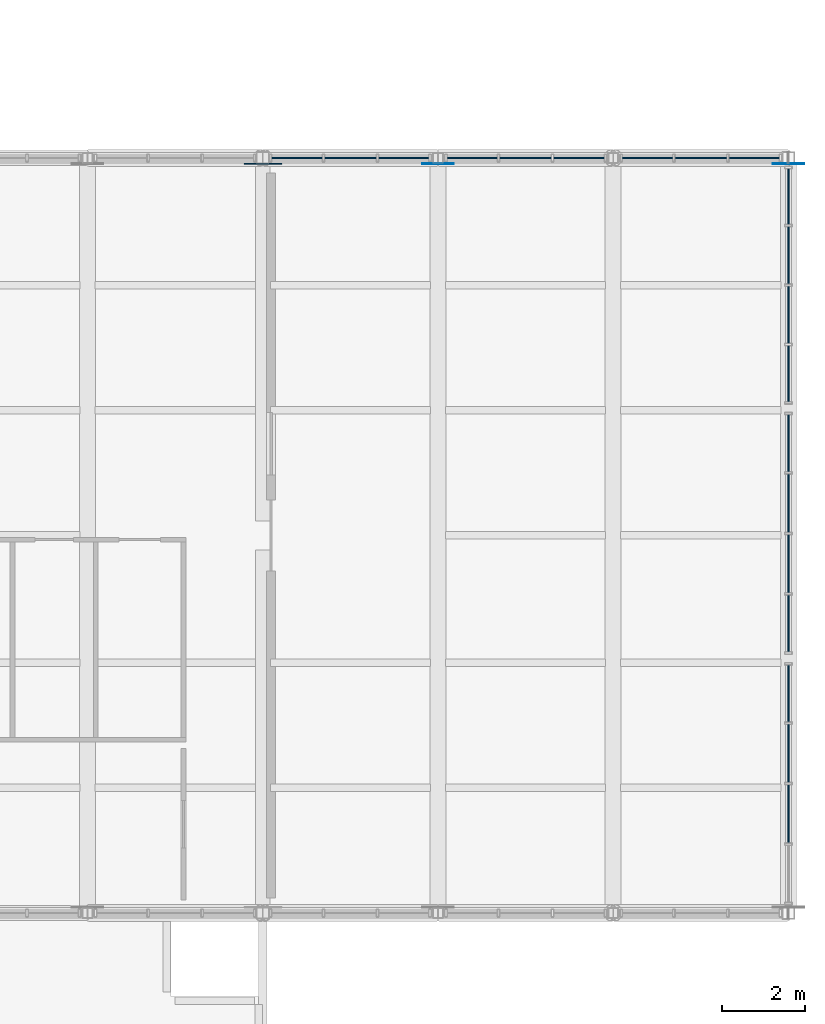
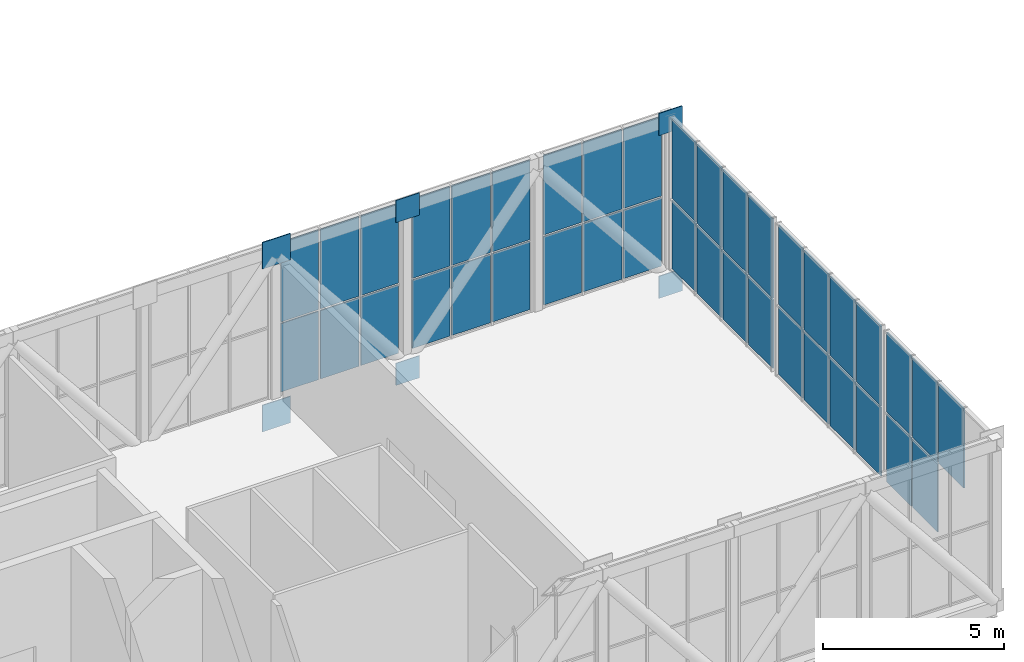
# One storey, part 51 of 58: 45 plates, 6 elements without a shape of their own.
"""IFC4 building model written with IfcOpenShell, lengths in metres."""

from ifc_helpers import new_model, si_unit, direction, frame, origin, origin_2d, place, context, subcontext, project, spatial, rectangle, extrude, material, layer, layer_set, type_object, element, aggregate, save


model = new_model("IFC4")

# Units and contexts
model_context = context("Model", 3, precision=1e-05, world=origin(), true_north=direction((0.0, 1.0)))
body_context = subcontext(model_context, "Body", "Model", "MODEL_VIEW")
ifc_project = project(units=[si_unit("LENGTHUNIT", "METRE"), si_unit("AREAUNIT", "SQUARE_METRE"), si_unit("VOLUMEUNIT", "CUBIC_METRE"), si_unit("PLANEANGLEUNIT", "RADIAN"), si_unit("MASSUNIT", "GRAM", prefix="KILO")], contexts=[model_context])

# Site, building, storey
site_placement = place(None, origin())
site = spatial("IfcSite", under=ifc_project, at=site_placement, CompositionType="ELEMENT")
building_placement = place(site_placement, origin())
building = spatial("IfcBuilding", under=site, at=building_placement, Name="Khurvash Pelagic Aquarium", CompositionType="ELEMENT")
storey_placement = place(building_placement, frame((0.0, 0.0, 24.60009765625)))
storey = spatial("IfcBuildingStorey", under=building, at=storey_placement, Name="L05", CompositionType="ELEMENT", Elevation=24.60009765625)

# Curtain wall, plates
ifc_material_1 = material(Name="Anodised aluminium and low-E laminated glass", Category="aluminium")
curtain_wall_type_1 = type_object("IfcCurtainWallType", Name="CW-01", PredefinedType="USERDEFINED", material=ifc_material_1)
curtain_wall_1_placement = place(storey_placement, origin())
curtain_wall_1 = element("IfcCurtainWall", 1, at=curtain_wall_1_placement, inside=storey, type_object=curtain_wall_type_1, Name="L05 North Sky-Bar Unitised Curtain Wall CW-01 P24", ObjectType="UNITISED CURTAIN WALL", PredefinedType="USERDEFINED")
ifc_material_2 = material(Name="Low-E laminated double glazing", Category="glass")
ifc_layer_1 = layer(ifc_material_2, 0.035888671875)
ifc_layer_set_1 = layer_set([ifc_layer_1], Name="Low-E laminated double glazing")
plate_type_1 = type_object("IfcPlateType", Name="CG-01", PredefinedType="CURTAIN_PANEL", material=ifc_layer_set_1)
plate_1_placement = place(storey_placement, frame((110.021728515625, 29.75, 0.059814453125), z_axis=(0.0, 0.0, 1.0), x_axis=(1.0, 0.0, 0.0)))
plate_1 = element("IfcPlate", 2, at=plate_1_placement, type_object=plate_type_1, Name="CW-01 panel 1.1", PredefinedType="CURTAIN_PANEL", context=body_context, shape_type="SweptSolid", body=[
    extrude(rectangle(XDim=1.203369140625, YDim=0.035888671875, at=origin_2d()), origin(), (0.0, 0.0, 1.0), 2.31005859375),
])
plate_2_placement = place(storey_placement, frame((110.021728515625, 29.75, 2.429931640625), z_axis=(0.0, 0.0, 1.0), x_axis=(1.0, 0.0, 0.0)))
plate_2 = element("IfcPlate", 3, at=plate_2_placement, type_object=plate_type_1, Name="CW-01 panel 1.2", PredefinedType="CURTAIN_PANEL", context=body_context, shape_type="SweptSolid", body=[
    extrude(rectangle(XDim=1.203369140625, YDim=0.035888671875, at=origin_2d()), origin(), (0.0, 0.0, 1.0), 2.68994140625),
])
plate_3_placement = place(storey_placement, frame((111.300048828125, 29.75, 0.059814453125), z_axis=(0.0, 0.0, 1.0), x_axis=(1.0, 0.0, 0.0)))
plate_3 = element("IfcPlate", 4, at=plate_3_placement, type_object=plate_type_1, Name="CW-01 panel 2.1", PredefinedType="CURTAIN_PANEL", context=body_context, shape_type="SweptSolid", body=[
    extrude(rectangle(XDim=1.2333984375, YDim=0.035888671875, at=origin_2d()), origin(), (0.0, 0.0, 1.0), 2.31005859375),
])
plate_4_placement = place(storey_placement, frame((111.300048828125, 29.75, 2.429931640625), z_axis=(0.0, 0.0, 1.0), x_axis=(1.0, 0.0, 0.0)))
plate_4 = element("IfcPlate", 5, at=plate_4_placement, type_object=plate_type_1, Name="CW-01 panel 2.2", PredefinedType="CURTAIN_PANEL", context=body_context, shape_type="SweptSolid", body=[
    extrude(rectangle(XDim=1.2333984375, YDim=0.035888671875, at=origin_2d()), origin(), (0.0, 0.0, 1.0), 2.68994140625),
])
plate_5_placement = place(storey_placement, frame((112.578369140625, 29.75, 0.059814453125), z_axis=(0.0, 0.0, 1.0), x_axis=(1.0, 0.0, 0.0)))
plate_5 = element("IfcPlate", 6, at=plate_5_placement, type_object=plate_type_1, Name="CW-01 panel 3.1", PredefinedType="CURTAIN_PANEL", context=body_context, shape_type="SweptSolid", body=[
    extrude(rectangle(XDim=1.203369140625, YDim=0.035888671875, at=origin_2d()), origin(), (0.0, 0.0, 1.0), 2.31005859375),
])
plate_6_placement = place(storey_placement, frame((112.578369140625, 29.75, 2.429931640625), z_axis=(0.0, 0.0, 1.0), x_axis=(1.0, 0.0, 0.0)))
plate_6 = element("IfcPlate", 7, at=plate_6_placement, type_object=plate_type_1, Name="CW-01 panel 3.2", PredefinedType="CURTAIN_PANEL", context=body_context, shape_type="SweptSolid", body=[
    extrude(rectangle(XDim=1.203369140625, YDim=0.035888671875, at=origin_2d()), origin(), (0.0, 0.0, 1.0), 2.68994140625),
])
aggregate(curtain_wall_1, [plate_1, plate_2, plate_3, plate_4, plate_5, plate_6])

curtain_wall_2_placement = place(storey_placement, origin())
curtain_wall_2 = element("IfcCurtainWall", 8, at=curtain_wall_2_placement, inside=storey, type_object=curtain_wall_type_1, Name="L05 North Sky-Bar Unitised Curtain Wall CW-01 P25", ObjectType="UNITISED CURTAIN WALL", PredefinedType="USERDEFINED")
plate_7_placement = place(storey_placement, frame((114.2216796875, 29.75, 0.059814453125), z_axis=(0.0, 0.0, 1.0), x_axis=(1.0, 0.0, 0.0)))
plate_7 = element("IfcPlate", 9, at=plate_7_placement, type_object=plate_type_1, Name="CW-01 panel 1.1", PredefinedType="CURTAIN_PANEL", context=body_context, shape_type="SweptSolid", body=[
    extrude(rectangle(XDim=1.203369140625, YDim=0.035888671875, at=origin_2d()), origin(), (0.0, 0.0, 1.0), 2.31005859375),
])
plate_8_placement = place(storey_placement, frame((114.2216796875, 29.75, 2.429931640625), z_axis=(0.0, 0.0, 1.0), x_axis=(1.0, 0.0, 0.0)))
plate_8 = element("IfcPlate", 10, at=plate_8_placement, type_object=plate_type_1, Name="CW-01 panel 1.2", PredefinedType="CURTAIN_PANEL", context=body_context, shape_type="SweptSolid", body=[
    extrude(rectangle(XDim=1.203369140625, YDim=0.035888671875, at=origin_2d()), origin(), (0.0, 0.0, 1.0), 2.68994140625),
])
plate_9_placement = place(storey_placement, frame((115.5, 29.75, 0.059814453125), z_axis=(0.0, 0.0, 1.0), x_axis=(1.0, 0.0, 0.0)))
plate_9 = element("IfcPlate", 11, at=plate_9_placement, type_object=plate_type_1, Name="CW-01 panel 2.1", PredefinedType="CURTAIN_PANEL", context=body_context, shape_type="SweptSolid", body=[
    extrude(rectangle(XDim=1.2333984375, YDim=0.035888671875, at=origin_2d()), origin(), (0.0, 0.0, 1.0), 2.31005859375),
])
plate_10_placement = place(storey_placement, frame((115.5, 29.75, 2.429931640625), z_axis=(0.0, 0.0, 1.0), x_axis=(1.0, 0.0, 0.0)))
plate_10 = element("IfcPlate", 12, at=plate_10_placement, type_object=plate_type_1, Name="CW-01 panel 2.2", PredefinedType="CURTAIN_PANEL", context=body_context, shape_type="SweptSolid", body=[
    extrude(rectangle(XDim=1.2333984375, YDim=0.035888671875, at=origin_2d()), origin(), (0.0, 0.0, 1.0), 2.68994140625),
])
plate_11_placement = place(storey_placement, frame((116.7783203125, 29.75, 0.059814453125), z_axis=(0.0, 0.0, 1.0), x_axis=(1.0, 0.0, 0.0)))
plate_11 = element("IfcPlate", 13, at=plate_11_placement, type_object=plate_type_1, Name="CW-01 panel 3.1", PredefinedType="CURTAIN_PANEL", context=body_context, shape_type="SweptSolid", body=[
    extrude(rectangle(XDim=1.203369140625, YDim=0.035888671875, at=origin_2d()), origin(), (0.0, 0.0, 1.0), 2.31005859375),
])
plate_12_placement = place(storey_placement, frame((116.7783203125, 29.75, 2.429931640625), z_axis=(0.0, 0.0, 1.0), x_axis=(1.0, 0.0, 0.0)))
plate_12 = element("IfcPlate", 14, at=plate_12_placement, type_object=plate_type_1, Name="CW-01 panel 3.2", PredefinedType="CURTAIN_PANEL", context=body_context, shape_type="SweptSolid", body=[
    extrude(rectangle(XDim=1.203369140625, YDim=0.035888671875, at=origin_2d()), origin(), (0.0, 0.0, 1.0), 2.68994140625),
])
aggregate(curtain_wall_2, [plate_7, plate_8, plate_9, plate_10, plate_11, plate_12])

curtain_wall_3_placement = place(storey_placement, origin())
curtain_wall_3 = element("IfcCurtainWall", 15, at=curtain_wall_3_placement, inside=storey, type_object=curtain_wall_type_1, Name="L05 North Sky-Bar Unitised Curtain Wall CW-01 P26", ObjectType="UNITISED CURTAIN WALL", PredefinedType="USERDEFINED")
plate_13_placement = place(storey_placement, frame((118.421630859375, 29.75, 0.059814453125), z_axis=(0.0, 0.0, 1.0), x_axis=(1.0, 0.0, 0.0)))
plate_13 = element("IfcPlate", 16, at=plate_13_placement, type_object=plate_type_1, Name="CW-01 panel 1.1", PredefinedType="CURTAIN_PANEL", context=body_context, shape_type="SweptSolid", body=[
    extrude(rectangle(XDim=1.203369140625, YDim=0.035888671875, at=origin_2d()), origin(), (0.0, 0.0, 1.0), 2.31005859375),
])
plate_14_placement = place(storey_placement, frame((118.421630859375, 29.75, 2.429931640625), z_axis=(0.0, 0.0, 1.0), x_axis=(1.0, 0.0, 0.0)))
plate_14 = element("IfcPlate", 17, at=plate_14_placement, type_object=plate_type_1, Name="CW-01 panel 1.2", PredefinedType="CURTAIN_PANEL", context=body_context, shape_type="SweptSolid", body=[
    extrude(rectangle(XDim=1.203369140625, YDim=0.035888671875, at=origin_2d()), origin(), (0.0, 0.0, 1.0), 2.68994140625),
])
plate_15_placement = place(storey_placement, frame((119.699951171875, 29.75, 0.059814453125), z_axis=(0.0, 0.0, 1.0), x_axis=(1.0, 0.0, 0.0)))
plate_15 = element("IfcPlate", 18, at=plate_15_placement, type_object=plate_type_1, Name="CW-01 panel 2.1", PredefinedType="CURTAIN_PANEL", context=body_context, shape_type="SweptSolid", body=[
    extrude(rectangle(XDim=1.2333984375, YDim=0.035888671875, at=origin_2d()), origin(), (0.0, 0.0, 1.0), 2.31005859375),
])
plate_16_placement = place(storey_placement, frame((119.699951171875, 29.75, 2.429931640625), z_axis=(0.0, 0.0, 1.0), x_axis=(1.0, 0.0, 0.0)))
plate_16 = element("IfcPlate", 19, at=plate_16_placement, type_object=plate_type_1, Name="CW-01 panel 2.2", PredefinedType="CURTAIN_PANEL", context=body_context, shape_type="SweptSolid", body=[
    extrude(rectangle(XDim=1.2333984375, YDim=0.035888671875, at=origin_2d()), origin(), (0.0, 0.0, 1.0), 2.68994140625),
])
plate_17_placement = place(storey_placement, frame((120.978271484375, 29.75, 0.059814453125), z_axis=(0.0, 0.0, 1.0), x_axis=(1.0, 0.0, 0.0)))
plate_17 = element("IfcPlate", 20, at=plate_17_placement, type_object=plate_type_1, Name="CW-01 panel 3.1", PredefinedType="CURTAIN_PANEL", context=body_context, shape_type="SweptSolid", body=[
    extrude(rectangle(XDim=1.203369140625, YDim=0.035888671875, at=origin_2d()), origin(), (0.0, 0.0, 1.0), 2.31005859375),
])
plate_18_placement = place(storey_placement, frame((120.978271484375, 29.75, 2.429931640625), z_axis=(0.0, 0.0, 1.0), x_axis=(1.0, 0.0, 0.0)))
plate_18 = element("IfcPlate", 21, at=plate_18_placement, type_object=plate_type_1, Name="CW-01 panel 3.2", PredefinedType="CURTAIN_PANEL", context=body_context, shape_type="SweptSolid", body=[
    extrude(rectangle(XDim=1.203369140625, YDim=0.035888671875, at=origin_2d()), origin(), (0.0, 0.0, 1.0), 2.68994140625),
])
aggregate(curtain_wall_3, [plate_13, plate_14, plate_15, plate_16, plate_17, plate_18])

curtain_wall_type_2 = type_object("IfcCurtainWallType", Name="CW-04", PredefinedType="USERDEFINED", material=ifc_material_1)
curtain_wall_4_placement = place(storey_placement, origin())
curtain_wall_4 = element("IfcCurtainWall", 22, at=curtain_wall_4_placement, inside=storey, type_object=curtain_wall_type_2, Name="L05 East Cantilever Overlook Curtain Wall CW-04", ObjectType="UNITISED CURTAIN WALL", PredefinedType="USERDEFINED")
ifc_layer_2 = layer(ifc_material_2, 0.0400390625)
ifc_layer_set_2 = layer_set([ifc_layer_2], Name="Low-E laminated double glazing")
plate_type_2 = type_object("IfcPlateType", Name="CG-04", PredefinedType="CURTAIN_PANEL", material=ifc_layer_set_2)
plate_19_placement = place(storey_placement, frame((121.800048828125, 14.02490234375, 2.429931640625), z_axis=(0.0, 0.0, 1.0), x_axis=(0.0, 1.0, 0.0)))
plate_19 = element("IfcPlate", 23, at=plate_19_placement, type_object=plate_type_2, Name="CW-04 panel 2.2", PredefinedType="CURTAIN_PANEL", context=body_context, shape_type="SweptSolid", body=[
    extrude(rectangle(XDim=1.389892578125, YDim=0.0400390625, at=origin_2d()), origin(), (0.0, 0.0, 1.0), 2.68994140625),
])
plate_20_placement = place(storey_placement, frame((121.800048828125, 15.47509765625, 0.059814453125), z_axis=(0.0, 0.0, 1.0), x_axis=(0.0, 1.0, 0.0)))
plate_20 = element("IfcPlate", 24, at=plate_20_placement, type_object=plate_type_2, Name="CW-04 panel 3.1", PredefinedType="CURTAIN_PANEL", context=body_context, shape_type="SweptSolid", body=[
    extrude(rectangle(XDim=1.389892578125, YDim=0.0400390625, at=origin_2d()), origin(), (0.0, 0.0, 1.0), 2.31005859375),
])
plate_21_placement = place(storey_placement, frame((121.800048828125, 15.47509765625, 2.429931640625), z_axis=(0.0, 0.0, 1.0), x_axis=(0.0, 1.0, 0.0)))
plate_21 = element("IfcPlate", 25, at=plate_21_placement, type_object=plate_type_2, Name="CW-04 panel 3.2", PredefinedType="CURTAIN_PANEL", context=body_context, shape_type="SweptSolid", body=[
    extrude(rectangle(XDim=1.389892578125, YDim=0.0400390625, at=origin_2d()), origin(), (0.0, 0.0, 1.0), 2.68994140625),
])
plate_22_placement = place(storey_placement, frame((121.800048828125, 16.909912109375, 0.059814453125), z_axis=(0.0, 0.0, 1.0), x_axis=(0.0, 1.0, 0.0)))
plate_22 = element("IfcPlate", 26, at=plate_22_placement, type_object=plate_type_2, Name="CW-04 panel 4.1", PredefinedType="CURTAIN_PANEL", context=body_context, shape_type="SweptSolid", body=[
    extrude(rectangle(XDim=1.360107421875, YDim=0.0400390625, at=origin_2d()), origin(), (0.0, 0.0, 1.0), 2.31005859375),
])
plate_23_placement = place(storey_placement, frame((121.800048828125, 16.909912109375, 2.429931640625), z_axis=(0.0, 0.0, 1.0), x_axis=(0.0, 1.0, 0.0)))
plate_23 = element("IfcPlate", 27, at=plate_23_placement, type_object=plate_type_2, Name="CW-04 panel 4.2", PredefinedType="CURTAIN_PANEL", context=body_context, shape_type="SweptSolid", body=[
    extrude(rectangle(XDim=1.360107421875, YDim=0.0400390625, at=origin_2d()), origin(), (0.0, 0.0, 1.0), 2.68994140625),
])
aggregate(curtain_wall_4, [plate_19, plate_20, plate_21, plate_22, plate_23])

curtain_wall_5_placement = place(storey_placement, origin())
curtain_wall_5 = element("IfcCurtainWall", 28, at=curtain_wall_5_placement, inside=storey, type_object=curtain_wall_type_2, Name="L05 East Cantilever Overlook Curtain Wall CW-04", ObjectType="UNITISED CURTAIN WALL", PredefinedType="USERDEFINED")
plate_24_placement = place(storey_placement, frame((121.800048828125, 18.590087890625, 0.059814453125), z_axis=(0.0, 0.0, 1.0), x_axis=(0.0, 1.0, 0.0)))
plate_24 = element("IfcPlate", 29, at=plate_24_placement, type_object=plate_type_2, Name="CW-04 panel 1.1", PredefinedType="CURTAIN_PANEL", context=body_context, shape_type="SweptSolid", body=[
    extrude(rectangle(XDim=1.360107421875, YDim=0.0400390625, at=origin_2d()), origin(), (0.0, 0.0, 1.0), 2.31005859375),
])
plate_25_placement = place(storey_placement, frame((121.800048828125, 18.590087890625, 2.429931640625), z_axis=(0.0, 0.0, 1.0), x_axis=(0.0, 1.0, 0.0)))
plate_25 = element("IfcPlate", 30, at=plate_25_placement, type_object=plate_type_2, Name="CW-04 panel 1.2", PredefinedType="CURTAIN_PANEL", context=body_context, shape_type="SweptSolid", body=[
    extrude(rectangle(XDim=1.360107421875, YDim=0.0400390625, at=origin_2d()), origin(), (0.0, 0.0, 1.0), 2.68994140625),
])
plate_26_placement = place(storey_placement, frame((121.800048828125, 20.02490234375, 0.059814453125), z_axis=(0.0, 0.0, 1.0), x_axis=(0.0, 1.0, 0.0)))
plate_26 = element("IfcPlate", 31, at=plate_26_placement, type_object=plate_type_2, Name="CW-04 panel 2.1", PredefinedType="CURTAIN_PANEL", context=body_context, shape_type="SweptSolid", body=[
    extrude(rectangle(XDim=1.389892578125, YDim=0.0400390625, at=origin_2d()), origin(), (0.0, 0.0, 1.0), 2.31005859375),
])
plate_27_placement = place(storey_placement, frame((121.800048828125, 20.02490234375, 2.429931640625), z_axis=(0.0, 0.0, 1.0), x_axis=(0.0, 1.0, 0.0)))
plate_27 = element("IfcPlate", 32, at=plate_27_placement, type_object=plate_type_2, Name="CW-04 panel 2.2", PredefinedType="CURTAIN_PANEL", context=body_context, shape_type="SweptSolid", body=[
    extrude(rectangle(XDim=1.389892578125, YDim=0.0400390625, at=origin_2d()), origin(), (0.0, 0.0, 1.0), 2.68994140625),
])
plate_28_placement = place(storey_placement, frame((121.800048828125, 21.47509765625, 0.059814453125), z_axis=(0.0, 0.0, 1.0), x_axis=(0.0, 1.0, 0.0)))
plate_28 = element("IfcPlate", 33, at=plate_28_placement, type_object=plate_type_2, Name="CW-04 panel 3.1", PredefinedType="CURTAIN_PANEL", context=body_context, shape_type="SweptSolid", body=[
    extrude(rectangle(XDim=1.389892578125, YDim=0.0400390625, at=origin_2d()), origin(), (0.0, 0.0, 1.0), 2.31005859375),
])
plate_29_placement = place(storey_placement, frame((121.800048828125, 21.47509765625, 2.429931640625), z_axis=(0.0, 0.0, 1.0), x_axis=(0.0, 1.0, 0.0)))
plate_29 = element("IfcPlate", 34, at=plate_29_placement, type_object=plate_type_2, Name="CW-04 panel 3.2", PredefinedType="CURTAIN_PANEL", context=body_context, shape_type="SweptSolid", body=[
    extrude(rectangle(XDim=1.389892578125, YDim=0.0400390625, at=origin_2d()), origin(), (0.0, 0.0, 1.0), 2.68994140625),
])
plate_30_placement = place(storey_placement, frame((121.800048828125, 22.909912109375, 0.059814453125), z_axis=(0.0, 0.0, 1.0), x_axis=(0.0, 1.0, 0.0)))
plate_30 = element("IfcPlate", 35, at=plate_30_placement, type_object=plate_type_2, Name="CW-04 panel 4.1", PredefinedType="CURTAIN_PANEL", context=body_context, shape_type="SweptSolid", body=[
    extrude(rectangle(XDim=1.360107421875, YDim=0.0400390625, at=origin_2d()), origin(), (0.0, 0.0, 1.0), 2.31005859375),
])
plate_31_placement = place(storey_placement, frame((121.800048828125, 22.909912109375, 2.429931640625), z_axis=(0.0, 0.0, 1.0), x_axis=(0.0, 1.0, 0.0)))
plate_31 = element("IfcPlate", 36, at=plate_31_placement, type_object=plate_type_2, Name="CW-04 panel 4.2", PredefinedType="CURTAIN_PANEL", context=body_context, shape_type="SweptSolid", body=[
    extrude(rectangle(XDim=1.360107421875, YDim=0.0400390625, at=origin_2d()), origin(), (0.0, 0.0, 1.0), 2.68994140625),
])
aggregate(curtain_wall_5, [plate_24, plate_25, plate_26, plate_27, plate_28, plate_29, plate_30, plate_31])

curtain_wall_6_placement = place(storey_placement, origin())
curtain_wall_6 = element("IfcCurtainWall", 37, at=curtain_wall_6_placement, inside=storey, type_object=curtain_wall_type_2, Name="L05 East Cantilever Overlook Curtain Wall CW-04", ObjectType="UNITISED CURTAIN WALL", PredefinedType="USERDEFINED")
plate_32_placement = place(storey_placement, frame((121.800048828125, 24.577392578125, 0.059814453125), z_axis=(0.0, 0.0, 1.0), x_axis=(0.0, 1.0, 0.0)))
plate_32 = element("IfcPlate", 38, at=plate_32_placement, type_object=plate_type_2, Name="CW-04 panel 1.1", PredefinedType="CURTAIN_PANEL", context=body_context, shape_type="SweptSolid", body=[
    extrude(rectangle(XDim=1.3349609375, YDim=0.0400390625, at=origin_2d()), origin(), (0.0, 0.0, 1.0), 2.31005859375),
])
plate_33_placement = place(storey_placement, frame((121.800048828125, 24.577392578125, 2.429931640625), z_axis=(0.0, 0.0, 1.0), x_axis=(0.0, 1.0, 0.0)))
plate_33 = element("IfcPlate", 39, at=plate_33_placement, type_object=plate_type_2, Name="CW-04 panel 1.2", PredefinedType="CURTAIN_PANEL", context=body_context, shape_type="SweptSolid", body=[
    extrude(rectangle(XDim=1.3349609375, YDim=0.0400390625, at=origin_2d()), origin(), (0.0, 0.0, 1.0), 2.68994140625),
])
plate_34_placement = place(storey_placement, frame((121.800048828125, 25.987548828125, 0.059814453125), z_axis=(0.0, 0.0, 1.0), x_axis=(0.0, 1.0, 0.0)))
plate_34 = element("IfcPlate", 40, at=plate_34_placement, type_object=plate_type_2, Name="CW-04 panel 2.1", PredefinedType="CURTAIN_PANEL", context=body_context, shape_type="SweptSolid", body=[
    extrude(rectangle(XDim=1.364990234375, YDim=0.0400390625, at=origin_2d()), origin(), (0.0, 0.0, 1.0), 2.31005859375),
])
plate_35_placement = place(storey_placement, frame((121.800048828125, 25.987548828125, 2.429931640625), z_axis=(0.0, 0.0, 1.0), x_axis=(0.0, 1.0, 0.0)))
plate_35 = element("IfcPlate", 41, at=plate_35_placement, type_object=plate_type_2, Name="CW-04 panel 2.2", PredefinedType="CURTAIN_PANEL", context=body_context, shape_type="SweptSolid", body=[
    extrude(rectangle(XDim=1.364990234375, YDim=0.0400390625, at=origin_2d()), origin(), (0.0, 0.0, 1.0), 2.68994140625),
])
plate_36_placement = place(storey_placement, frame((121.800048828125, 27.41259765625, 0.059814453125), z_axis=(0.0, 0.0, 1.0), x_axis=(0.0, 1.0, 0.0)))
plate_36 = element("IfcPlate", 42, at=plate_36_placement, type_object=plate_type_2, Name="CW-04 panel 3.1", PredefinedType="CURTAIN_PANEL", context=body_context, shape_type="SweptSolid", body=[
    extrude(rectangle(XDim=1.364990234375, YDim=0.0400390625, at=origin_2d()), origin(), (0.0, 0.0, 1.0), 2.31005859375),
])
plate_37_placement = place(storey_placement, frame((121.800048828125, 27.41259765625, 2.429931640625), z_axis=(0.0, 0.0, 1.0), x_axis=(0.0, 1.0, 0.0)))
plate_37 = element("IfcPlate", 43, at=plate_37_placement, type_object=plate_type_2, Name="CW-04 panel 3.2", PredefinedType="CURTAIN_PANEL", context=body_context, shape_type="SweptSolid", body=[
    extrude(rectangle(XDim=1.364990234375, YDim=0.0400390625, at=origin_2d()), origin(), (0.0, 0.0, 1.0), 2.68994140625),
])
plate_38_placement = place(storey_placement, frame((121.800048828125, 28.822509765625, 0.059814453125), z_axis=(0.0, 0.0, 1.0), x_axis=(0.0, 1.0, 0.0)))
plate_38 = element("IfcPlate", 44, at=plate_38_placement, type_object=plate_type_2, Name="CW-04 panel 4.1", PredefinedType="CURTAIN_PANEL", context=body_context, shape_type="SweptSolid", body=[
    extrude(rectangle(XDim=1.3349609375, YDim=0.0400390625, at=origin_2d()), origin(), (0.0, 0.0, 1.0), 2.31005859375),
])
plate_39_placement = place(storey_placement, frame((121.800048828125, 28.822509765625, 2.429931640625), z_axis=(0.0, 0.0, 1.0), x_axis=(0.0, 1.0, 0.0)))
plate_39 = element("IfcPlate", 45, at=plate_39_placement, type_object=plate_type_2, Name="CW-04 panel 4.2", PredefinedType="CURTAIN_PANEL", context=body_context, shape_type="SweptSolid", body=[
    extrude(rectangle(XDim=1.3349609375, YDim=0.0400390625, at=origin_2d()), origin(), (0.0, 0.0, 1.0), 2.68994140625),
])
aggregate(curtain_wall_6, [plate_32, plate_33, plate_34, plate_35, plate_36, plate_37, plate_38, plate_39])

# Plates
ifc_material_3 = material(Name="Steel S355J2", Category="steel")
ifc_layer_3 = layer(ifc_material_3, 0.028076171875)
ifc_layer_set_3 = layer_set([ifc_layer_3], Name="Steel S355J2")
plate_type_3 = type_object("IfcPlateType", Name="ND-01", PredefinedType="USERDEFINED", material=ifc_layer_set_3)
for number, where, z_axis, x_axis, name in (
    (46, (109.199951171875, 29.610107421875, -0.97509765625), (0.0, 0.0, 1.0), (1.0, 0.0, 0.0), "L05 North Truss Bot Gusset Plate ND-01 N24"),
    (47, (109.199951171875, 29.610107421875, 4.530029296875), (0.0, 0.0, 1.0), (1.0, 0.0, 0.0), "L05 North Truss Top Gusset Plate ND-01 N24"),
):
    element("IfcPlate", number, at=place(storey_placement, frame(where, z_axis=z_axis, x_axis=x_axis)), inside=storey, type_object=plate_type_3, Name=name, ObjectType="GUSSET PLATE", PredefinedType="USERDEFINED", context=body_context, shape_type="SweptSolid", body=[
        extrude(rectangle(XDim=0.89990234375, YDim=0.028076171875, at=origin_2d()), origin(), (0.0, 0.0, 1.0), 0.89990234375),
    ])
ifc_layer_4 = layer(ifc_material_3, 0.02392578125)
ifc_layer_set_4 = layer_set([ifc_layer_4], Name="Steel S355J2")
plate_type_4 = type_object("IfcPlateType", Name="ND-02", PredefinedType="USERDEFINED", material=ifc_layer_set_4)
for number, where, z_axis, x_axis, name in (
    (48, (113.39990234375, 29.610107421875, -0.900146484375), (0.0, 0.0, 1.0), (1.0, 0.0, 0.0), "L05 North Truss Bot Gusset Plate ND-02 N25"),
    (49, (113.39990234375, 29.610107421875, 4.60498046875), (0.0, 0.0, 1.0), (1.0, 0.0, 0.0), "L05 North Truss Top Gusset Plate ND-02 N25"),
    (50, (121.800048828125, 29.610107421875, -0.900146484375), (0.0, 0.0, 1.0), (1.0, 0.0, 0.0), "L05 North Truss Bot Gusset Plate ND-02 N27"),
    (51, (121.800048828125, 29.610107421875, 4.60498046875), (0.0, 0.0, 1.0), (1.0, 0.0, 0.0), "L05 North Truss Top Gusset Plate ND-02 N27"),
):
    element("IfcPlate", number, at=place(storey_placement, frame(where, z_axis=z_axis, x_axis=x_axis)), inside=storey, type_object=plate_type_4, Name=name, ObjectType="GUSSET PLATE", PredefinedType="USERDEFINED", context=body_context, shape_type="SweptSolid", body=[
        extrude(rectangle(XDim=0.75, YDim=0.02392578125, at=origin_2d()), origin(), (0.0, 0.0, 1.0), 0.75),
    ])

save(model, "model.ifc")
